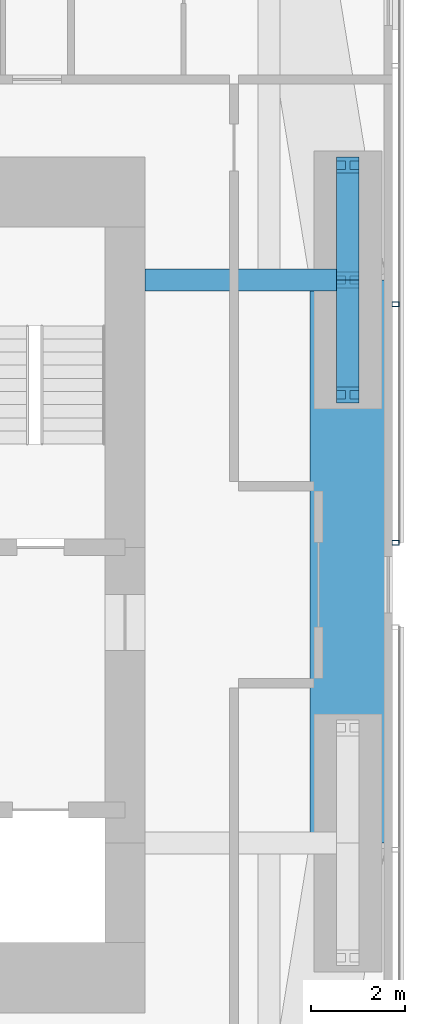
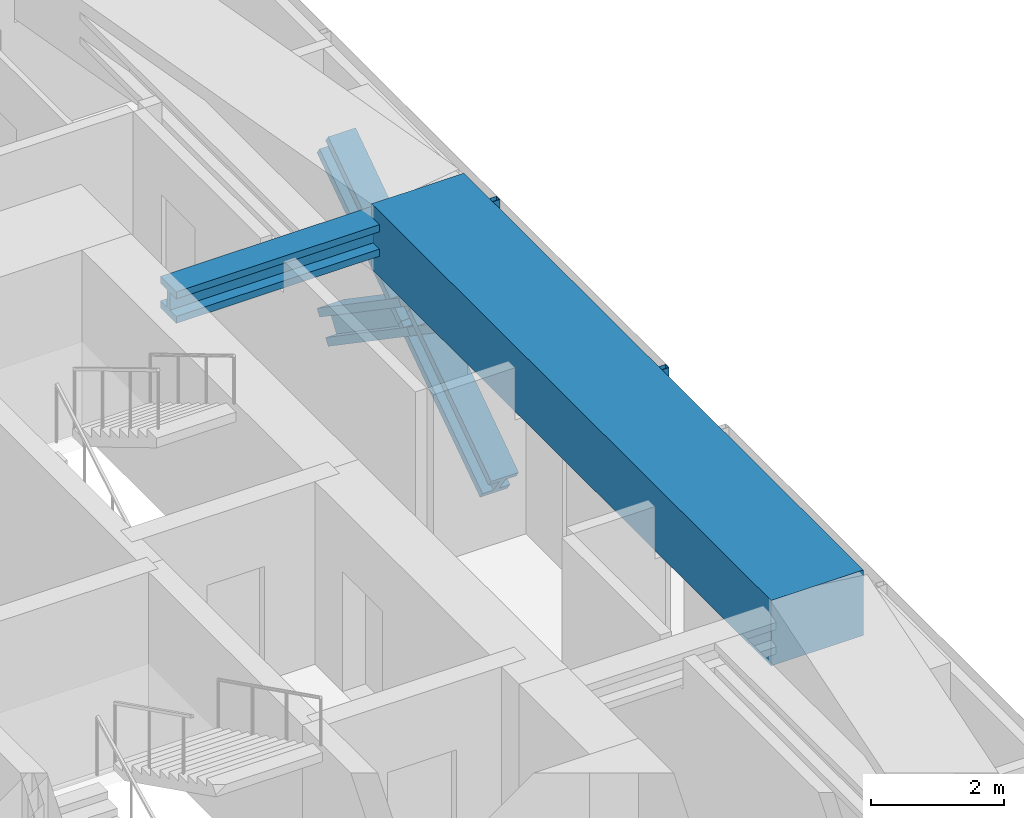
# One storey, part 9 of 23: 6 members, 2 beams, 1 element without a shape of its own.
"""IFC4 building model written with IfcOpenShell, lengths in metres."""

from ifc_helpers import new_model, si_unit, direction, frame, origin, origin_2d, place, context, subcontext, project, spatial, rectangle, hollow_rectangle, i_section, extrude, material, material_profile, profile_set, type_object, element, aggregate, save


model = new_model("IFC4")

# Units and contexts
model_context = context("Model", 3, precision=1e-05, world=origin(), true_north=direction((0.0, 1.0)))
body_context = subcontext(model_context, "Body", "Model", "MODEL_VIEW")
ifc_project = project(units=[si_unit("LENGTHUNIT", "METRE"), si_unit("AREAUNIT", "SQUARE_METRE"), si_unit("VOLUMEUNIT", "CUBIC_METRE"), si_unit("PLANEANGLEUNIT", "RADIAN"), si_unit("MASSUNIT", "GRAM", prefix="KILO")], contexts=[model_context])

# Site, building, storey
site_placement = place(None, origin())
site = spatial("IfcSite", under=ifc_project, at=site_placement, CompositionType="ELEMENT")
building_placement = place(site_placement, origin())
building = spatial("IfcBuilding", under=site, at=building_placement, Name="Jalousie Tower", CompositionType="ELEMENT")
storey_placement = place(building_placement, frame((0.0, 0.0, 88.10009765625)))
storey = spatial("IfcBuildingStorey", under=building, at=storey_placement, Name="L23", CompositionType="ELEMENT", Elevation=88.10009765625)

# Beam
ifc_material_1 = material(Name="Steel ASTM A992 Grade 50", Category="steel")
ifc_material_profile_1 = material_profile(ifc_material_1, i_section(OverallWidth=0.472412109375, OverallDepth=0.5791015625, WebThickness=0.094970703125, FlangeThickness=0.1298828125, at=origin_2d()), Name="W14X808")
ifc_profile_set_1 = profile_set([ifc_material_profile_1], Name="Steel ASTM A992 Grade 50")
beam_type_1 = type_object("IfcBeamType", Name="LEAN COLLECTOR W14X808", PredefinedType="BEAM", material=ifc_profile_set_1)
beam_1_placement = place(storey_placement, frame((48.550048828125, 25.0, 2.8203125), z_axis=(-1.0, 0.0, 0.0), x_axis=(0.0, -1.0, 0.0)))
element("IfcBeam", 1, at=beam_1_placement, inside=storey, type_object=beam_type_1, Name="Lean collector under L24", PredefinedType="BEAM", context=body_context, shape_type="SweptSolid", body=[
    extrude(i_section(OverallWidth=0.472412109375, OverallDepth=0.5791015625, WebThickness=0.094970703125, FlangeThickness=0.1298828125, at=origin_2d()), origin(), (0.0, 0.0, 1.0), 4.324951171875),
])

# Members
ifc_material_2 = material(Name="Steel ASTM A992 Grade 50", Category="steel")
ifc_material_profile_2 = material_profile(ifc_material_2, i_section(OverallWidth=0.4775390625, OverallDepth=0.599365234375, WebThickness=0.10009765625, FlangeThickness=0.139892578125, at=origin_2d()), Name="W14X873")
ifc_profile_set_2 = profile_set([ifc_material_profile_2], Name="Steel ASTM A992 Grade 50")
member_type_1 = type_object("IfcMemberType", Name="PERIMETER BRACE W14X873", PredefinedType="BRACE", material=ifc_profile_set_2)
for number, where, z_axis, x_axis, name in (
    (2, (48.550048828125, 22.550048828125, -0.60009765625), (0.0, 0.825500916831, 0.564400776321), (-1.0, 0.0, 0.0), "Perimeter brace 07 L23 part 1"),
    (3, (48.550048828125, 25.0, 1.074951171875), (0.0, 0.825500916831, 0.564400776321), (-1.0, 0.0, 0.0), "Perimeter brace 07 L23 part 2"),
    (4, (48.550048828125, 27.449951171875, -0.60009765625), (0.0, -0.825500916831, 0.564400776321), (1.0, 0.0, 0.0), "Perimeter brace 07 L23 part 3"),
    (5, (48.550048828125, 25.0, 1.074951171875), (0.0, -0.825500916831, 0.564400776321), (1.0, 0.0, 0.0), "Perimeter brace 07 L23 part 4"),
):
    element("IfcMember", number, at=place(storey_placement, frame(where, z_axis=z_axis, x_axis=x_axis)), inside=storey, type_object=member_type_1, Name=name, PredefinedType="BRACE", context=body_context, shape_type="SweptSolid", body=[
        extrude(i_section(OverallWidth=0.4775390625, OverallDepth=0.599365234375, WebThickness=0.10009765625, FlangeThickness=0.139892578125, at=origin_2d()), origin(), (0.0, 0.0, 1.0), 2.9677734375),
    ])

# Beam
ifc_material_3 = material(Name="Concrete f'c 40 MPa", Category="concrete")
ifc_material_profile_3 = material_profile(ifc_material_3, rectangle(XDim=1.60009765625, YDim=1.199951171875, at=origin_2d()), Name="RC 1600x1200")
ifc_profile_set_3 = profile_set([ifc_material_profile_3], Name="Concrete f'c 40 MPa")
beam_type_2 = type_object("IfcBeamType", Name="RC BEAM 1600x1200", PredefinedType="BEAM", material=ifc_profile_set_3)
beam_2_placement = place(storey_placement, frame((48.550048828125, 13.0, 2.75), z_axis=(0.0, 1.0, 0.0), x_axis=(-1.0, 0.0, 0.0)))
element("IfcBeam", 6, at=beam_2_placement, inside=storey, type_object=beam_type_2, Name="Edge band beam 06-07 under L24", PredefinedType="BEAM", context=body_context, shape_type="SweptSolid", body=[
    extrude(rectangle(XDim=1.60009765625, YDim=1.199951171875, at=origin_2d()), origin(), (0.0, 0.0, 1.0), 12.0),
])

# Curtain wall, members
ifc_material_4 = material(Name="Perforated aluminium sheet", Category="aluminium")
curtain_wall_type = type_object("IfcCurtainWallType", Name="SOLAR SCREEN SS-1", PredefinedType="USERDEFINED", material=ifc_material_4)
curtain_wall_placement = place(storey_placement, origin())
curtain_wall = element("IfcCurtainWall", 7, at=curtain_wall_placement, inside=storey, type_object=curtain_wall_type, Name="Solar screen L23", ObjectType="SOLAR SCREEN SS-1", PredefinedType="USERDEFINED")
ifc_material_5 = material(Name="Steel ASTM A500 Grade C", Category="steel")
ifc_material_profile_4 = material_profile(ifc_material_5, hollow_rectangle(XDim=0.1015625, YDim=0.15234375, WallThickness=0.00634765625, at=origin_2d()), Name="HSS6X4X1/4")
ifc_profile_set_4 = profile_set([ifc_material_profile_4], Name="Steel ASTM A500 Grade C")
member_type_2 = type_object("IfcMemberType", Name="SOLAR SCREEN SS-1 MULLION", PredefinedType="MULLION", material=ifc_profile_set_4)
member_1_placement = place(storey_placement, frame((49.5712890625, 19.39990234375, -0.1201171875), z_axis=(0.0, 0.0, 1.0), x_axis=(0.0, 1.0, 0.0)))
member_1 = element("IfcMember", 8, at=member_1_placement, type_object=member_type_2, Name="SS1 post 1", PredefinedType="MULLION", context=body_context, shape_type="SweptSolid", body=[
    extrude(hollow_rectangle(XDim=0.1015625, YDim=0.15234375, WallThickness=0.00634765625, at=origin_2d()), origin(), (0.0, 0.0, 1.0), 3.22998046875),
])
member_2_placement = place(storey_placement, frame((49.5712890625, 24.48291015625, -0.1201171875), z_axis=(0.0, 0.0, 1.0), x_axis=(0.0, 1.0, 0.0)))
member_2 = element("IfcMember", 9, at=member_2_placement, type_object=member_type_2, Name="SS1 post 2", PredefinedType="MULLION", context=body_context, shape_type="SweptSolid", body=[
    extrude(hollow_rectangle(XDim=0.1015625, YDim=0.15234375, WallThickness=0.00634765625, at=origin_2d()), origin(), (0.0, 0.0, 1.0), 3.22998046875),
])
aggregate(curtain_wall, [member_1, member_2])

save(model, "model.ifc")
